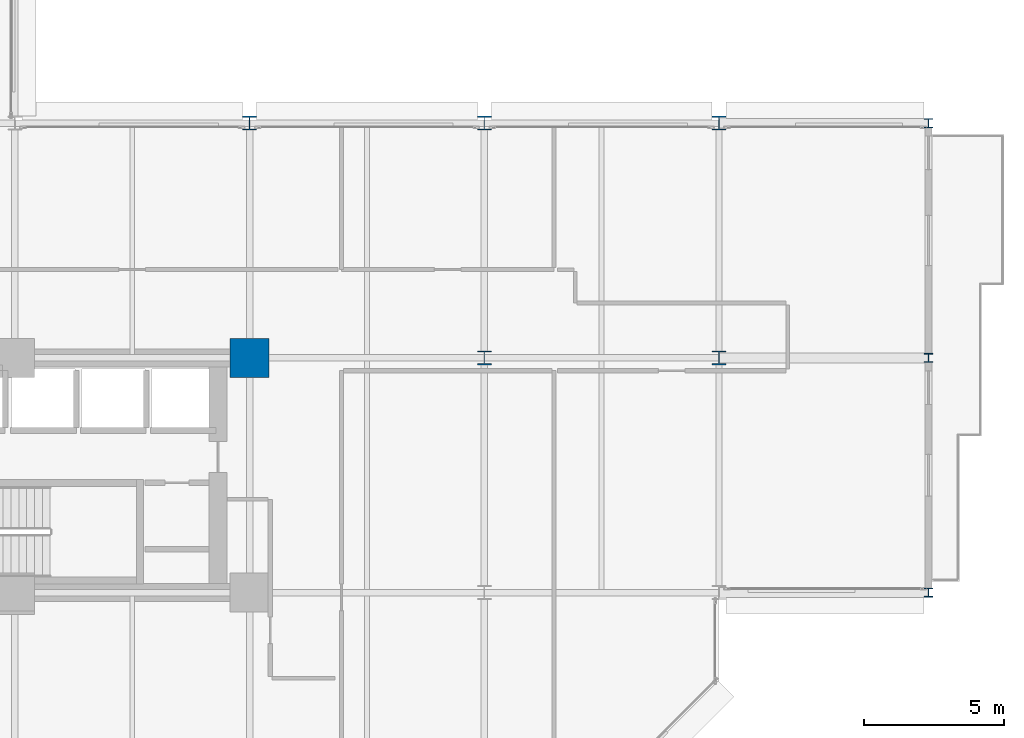
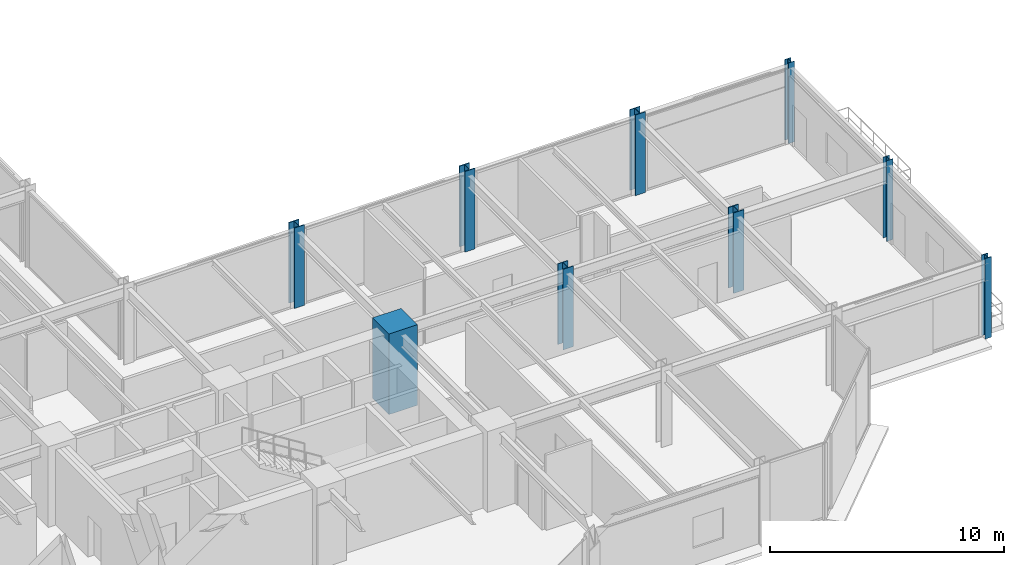
# One storey, part 2 of 27: 9 columns.
"""IFC4 building model written with IfcOpenShell, lengths in metres."""

from ifc_helpers import new_model, si_unit, direction, frame, origin, origin_2d, place, context, subcontext, project, spatial, rectangle, i_section, extrude, material, material_profile, profile_set, type_object, element, save


model = new_model("IFC4")

# Units and contexts
model_context = context("Model", 3, precision=1e-05, world=origin(), true_north=direction((0.0, 1.0)))
body_context = subcontext(model_context, "Body", "Model", "MODEL_VIEW")
ifc_project = project(units=[si_unit("LENGTHUNIT", "METRE"), si_unit("AREAUNIT", "SQUARE_METRE"), si_unit("VOLUMEUNIT", "CUBIC_METRE"), si_unit("PLANEANGLEUNIT", "RADIAN"), si_unit("MASSUNIT", "GRAM", prefix="KILO")], contexts=[model_context])

# Site, building, storey
site_placement = place(None, origin())
site = spatial("IfcSite", under=ifc_project, at=site_placement, CompositionType="ELEMENT")
building_placement = place(site_placement, origin())
building = spatial("IfcBuilding", under=site, at=building_placement, Name="Nerrivon Quay Data Exchange", CompositionType="ELEMENT")
storey_placement = place(building_placement, frame((0.0, 0.0, 66.800048828125)))
storey = spatial("IfcBuildingStorey", under=building, at=storey_placement, Name="L15", CompositionType="ELEMENT", Elevation=66.800048828125)

# Columns
ifc_material_1 = material(Name="Concrete N80 (80 MPa)", Category="concrete")
ifc_material_profile_1 = material_profile(ifc_material_1, rectangle(XDim=1.39990234375, YDim=1.39990234375, at=origin_2d()), Name="RC-COL-1400x1400")
ifc_profile_set_1 = profile_set([ifc_material_profile_1], Name="Concrete N80 (80 MPa)")
column_type_1 = type_object("IfcColumnType", Name="COL-C2-1400", PredefinedType="COLUMN", material=ifc_profile_set_1)
column_placement = place(storey_placement, frame((33.60009765625, 16.800048828125, 0.0), z_axis=(0.0, 0.0, 1.0), x_axis=(1.0, 0.0, 0.0)))
element("IfcColumn", 1, at=column_placement, inside=storey, type_object=column_type_1, Name="L15 Column (33.6,16.8)", PredefinedType="COLUMN", context=body_context, shape_type="SweptSolid", body=[
    extrude(rectangle(XDim=1.39990234375, YDim=1.39990234375, at=origin_2d()), origin(), (0.0, 0.0, 1.0), 4.199951171875),
])
ifc_material_2 = material(Name="Steel Grade 350", Category="steel")
ifc_material_profile_2 = material_profile(ifc_material_2, i_section(OverallWidth=0.5, OverallDepth=0.5, WebThickness=0.028076171875, FlangeThickness=0.0400390625, at=origin_2d()), Name="500WC440")
ifc_profile_set_2 = profile_set([ifc_material_profile_2], Name="Steel Grade 350")
column_type_2 = type_object("IfcColumnType", Name="COL-SC1-500WC", PredefinedType="COLUMN", material=ifc_profile_set_2)
for number, where, z_axis, x_axis, name in (
    (2, (33.60009765625, 25.199951171875, 0.0), (0.0, 0.0, 1.0), (1.0, 0.0, 0.0), "L15 Column (33.6,25.2)"),
    (3, (42.0, 16.800048828125, 0.0), (0.0, 0.0, 1.0), (1.0, 0.0, 0.0), "L15 Column (42.0,16.8)"),
    (4, (42.0, 25.199951171875, 0.0), (0.0, 0.0, 1.0), (1.0, 0.0, 0.0), "L15 Column (42.0,25.2)"),
    (5, (50.39990234375, 16.800048828125, 0.0), (0.0, 0.0, 1.0), (1.0, 0.0, 0.0), "L15 Column (50.4,16.8)"),
    (6, (50.39990234375, 25.199951171875, 0.0), (0.0, 0.0, 1.0), (1.0, 0.0, 0.0), "L15 Column (50.4,25.2)"),
):
    element("IfcColumn", number, at=place(storey_placement, frame(where, z_axis=z_axis, x_axis=x_axis)), inside=storey, type_object=column_type_2, Name=name, PredefinedType="COLUMN", context=body_context, shape_type="SweptSolid", body=[
        extrude(i_section(OverallWidth=0.5, OverallDepth=0.5, WebThickness=0.028076171875, FlangeThickness=0.0400390625, at=origin_2d()), origin(), (0.0, 0.0, 1.0), 4.199951171875),
    ])
ifc_material_profile_3 = material_profile(ifc_material_2, i_section(OverallWidth=0.31103515625, OverallDepth=0.326904296875, WebThickness=0.015625, FlangeThickness=0.02490234375, FilletRadius=0.0166015625, at=origin_2d()), Name="310UC158")
ifc_profile_set_3 = profile_set([ifc_material_profile_3], Name="Steel Grade 350")
column_type_3 = type_object("IfcColumnType", Name="COL-SC4-310UC158", PredefinedType="COLUMN", material=ifc_profile_set_3)
for number, where, z_axis, x_axis, name in (
    (7, (57.89990234375, 8.39990234375, 0.0), (0.0, 0.0, 1.0), (1.0, 0.0, 0.0), "L15 East Hooked Post (57.9,8.4)"),
    (8, (57.89990234375, 16.800048828125, 0.0), (0.0, 0.0, 1.0), (1.0, 0.0, 0.0), "L15 East Hooked Post (57.9,16.8)"),
    (9, (57.89990234375, 25.199951171875, 0.0), (0.0, 0.0, 1.0), (1.0, 0.0, 0.0), "L15 East Hooked Post (57.9,25.2)"),
):
    element("IfcColumn", number, at=place(storey_placement, frame(where, z_axis=z_axis, x_axis=x_axis)), inside=storey, type_object=column_type_3, Name=name, PredefinedType="COLUMN", context=body_context, shape_type="SweptSolid", body=[
        extrude(i_section(OverallWidth=0.31103515625, OverallDepth=0.326904296875, WebThickness=0.015625, FlangeThickness=0.02490234375, FilletRadius=0.0166015625, at=origin_2d()), origin(), (0.0, 0.0, 1.0), 4.199951171875),
    ])

save(model, "model.ifc")
